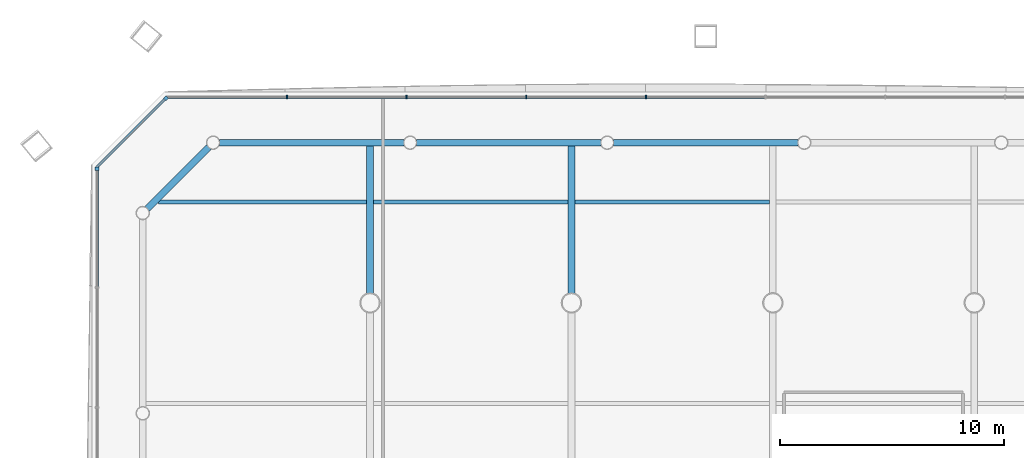
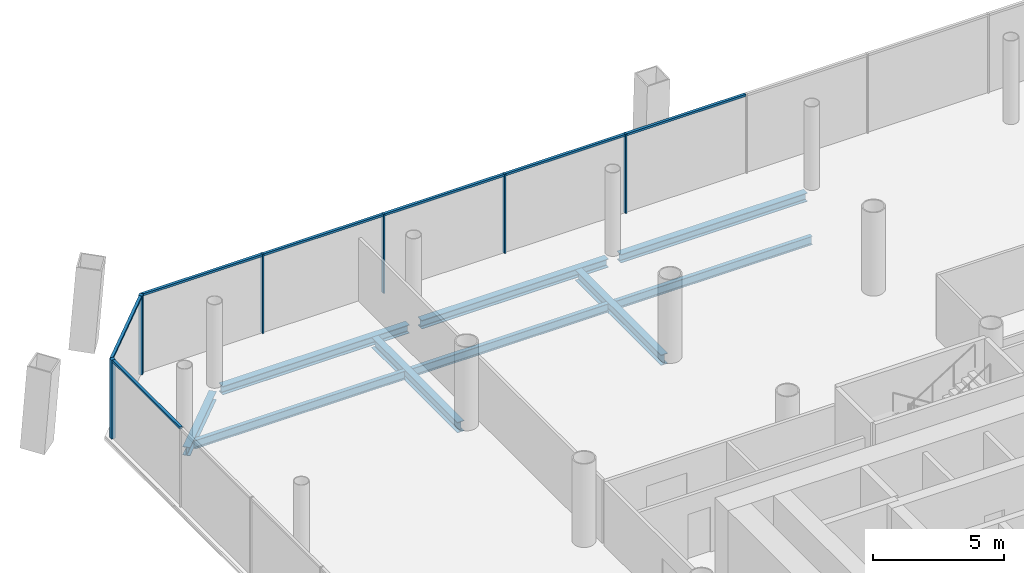
# One storey, part 10 of 22: 13 members, 9 beams, 3 elements without a shape of their own.
"""IFC4 building model written with IfcOpenShell, lengths in metres."""

from ifc_helpers import new_model, si_unit, direction, frame, origin, origin_2d, place, context, subcontext, project, spatial, rectangle, i_section, extrude, material, material_profile, profile_set, type_object, element, aggregate, save


model = new_model("IFC4")

# Units and contexts
model_context = context("Model", 3, precision=1e-05, world=origin(), true_north=direction((0.0, 1.0)))
body_context = subcontext(model_context, "Body", "Model", "MODEL_VIEW")
ifc_project = project(units=[si_unit("LENGTHUNIT", "METRE"), si_unit("AREAUNIT", "SQUARE_METRE"), si_unit("VOLUMEUNIT", "CUBIC_METRE"), si_unit("PLANEANGLEUNIT", "RADIAN"), si_unit("MASSUNIT", "GRAM", prefix="KILO")], contexts=[model_context])

# Site, building, storey
site_placement = place(None, origin())
site = spatial("IfcSite", under=ifc_project, at=site_placement, CompositionType="ELEMENT")
building_placement = place(site_placement, origin())
building = spatial("IfcBuilding", under=site, at=building_placement, Name="Tskaro Facet Tower", CompositionType="ELEMENT")
storey_placement = place(building_placement, frame((0.0, 0.0, 30.300048828125)))
storey = spatial("IfcBuildingStorey", under=building, at=storey_placement, Name="L06", CompositionType="ELEMENT", Elevation=30.300048828125)

# Curtain wall, member
ifc_material_1 = material(Name="Bronze anodised aluminium 6063-T6", Category="aluminium")
curtain_wall_type = type_object("IfcCurtainWallType", Name="Bronze office curtain wall (FW1)", PredefinedType="NOTDEFINED", material=ifc_material_1)
curtain_wall_1_placement = place(storey_placement, origin())
curtain_wall_1 = element("IfcCurtainWall", 1, at=curtain_wall_1_placement, inside=storey, type_object=curtain_wall_type, Name="FW1 north-west facet L06", PredefinedType="NOTDEFINED")
ifc_material_profile_1 = material_profile(ifc_material_1, rectangle(XDim=0.159912109375, YDim=0.159912109375, at=origin_2d()), Name="Corner post 160x160")
ifc_profile_set_1 = profile_set([ifc_material_profile_1], Name="Bronze anodised aluminium 6063-T6")
member_type_1 = type_object("IfcMemberType", Name="FW1 bronze corner post 160x160", PredefinedType="MULLION", material=ifc_profile_set_1)
member_1_placement = place(storey_placement, frame((-27.12255859375, 27.1455078125, 0.0), z_axis=(0.0, 0.0, 1.0), x_axis=(-0.707106781187, -0.707106781187, 0.0)))
member_1 = element("IfcMember", 2, at=member_1_placement, type_object=member_type_1, Name="FW1 north-west corner post", PredefinedType="MULLION", context=body_context, shape_type="SweptSolid", body=[
    extrude(rectangle(XDim=0.159912109375, YDim=0.159912109375, at=origin_2d()), origin(), (0.0, 0.0, 1.0), 3.699951171875),
])

curtain_wall_2_placement = place(storey_placement, origin())
curtain_wall_2 = element("IfcCurtainWall", 3, at=curtain_wall_2_placement, inside=storey, type_object=curtain_wall_type, Name="FW1 west facet L06", PredefinedType="NOTDEFINED")
member_2_placement = place(storey_placement, frame((-30.201904296875, 23.986083984375, 0.0), z_axis=(0.0, 0.0, 1.0), x_axis=(0.0, -1.0, 0.0)))
member_2 = element("IfcMember", 4, at=member_2_placement, type_object=member_type_1, Name="FW1 west corner post", PredefinedType="MULLION", context=body_context, shape_type="SweptSolid", body=[
    extrude(rectangle(XDim=0.159912109375, YDim=0.159912109375, at=origin_2d()), origin(), (0.0, 0.0, 1.0), 3.699951171875),
])

# Curtain wall, members
curtain_wall_3_placement = place(storey_placement, origin())
curtain_wall_3 = element("IfcCurtainWall", 5, at=curtain_wall_3_placement, inside=storey, type_object=curtain_wall_type, Name="FW1 north facet L06", PredefinedType="NOTDEFINED")
ifc_material_profile_2 = material_profile(ifc_material_1, rectangle(XDim=0.06005859375, YDim=0.159912109375, at=origin_2d()), Name="Mullion 60x160")
ifc_profile_set_2 = profile_set([ifc_material_profile_2], Name="Bronze anodised aluminium 6063-T6")
member_type_2 = type_object("IfcMemberType", Name="FW1 bronze mullion 60x160", PredefinedType="MULLION", material=ifc_profile_set_2)
member_3_placement = place(storey_placement, frame((-5.674072265625, 27.201904296875, 0.0), z_axis=(0.0, 0.0, 1.0), x_axis=(-1.0, 0.0, 0.0)))
member_3 = element("IfcMember", 6, at=member_3_placement, type_object=member_type_2, Name="FW1 north mullion 5", PredefinedType="MULLION", context=body_context, shape_type="SweptSolid", body=[
    extrude(rectangle(XDim=0.06005859375, YDim=0.159912109375, at=origin_2d()), origin(), (0.0, 0.0, 1.0), 3.699951171875),
])
member_4_placement = place(storey_placement, frame((-11.02197265625, 27.201904296875, 0.0), z_axis=(0.0, 0.0, 1.0), x_axis=(-1.0, 0.0, 0.0)))
member_4 = element("IfcMember", 7, at=member_4_placement, type_object=member_type_2, Name="FW1 north mullion 6", PredefinedType="MULLION", context=body_context, shape_type="SweptSolid", body=[
    extrude(rectangle(XDim=0.06005859375, YDim=0.159912109375, at=origin_2d()), origin(), (0.0, 0.0, 1.0), 3.699951171875),
])
member_5_placement = place(storey_placement, frame((-16.3701171875, 27.201904296875, 0.0), z_axis=(0.0, 0.0, 1.0), x_axis=(-1.0, 0.0, 0.0)))
member_5 = element("IfcMember", 8, at=member_5_placement, type_object=member_type_2, Name="FW1 north mullion 7", PredefinedType="MULLION", context=body_context, shape_type="SweptSolid", body=[
    extrude(rectangle(XDim=0.06005859375, YDim=0.159912109375, at=origin_2d()), origin(), (0.0, 0.0, 1.0), 3.699951171875),
])
member_6_placement = place(storey_placement, frame((-21.718017578125, 27.201904296875, 0.0), z_axis=(0.0, 0.0, 1.0), x_axis=(-1.0, 0.0, 0.0)))
member_6 = element("IfcMember", 9, at=member_6_placement, type_object=member_type_2, Name="FW1 north mullion 8", PredefinedType="MULLION", context=body_context, shape_type="SweptSolid", body=[
    extrude(rectangle(XDim=0.06005859375, YDim=0.159912109375, at=origin_2d()), origin(), (0.0, 0.0, 1.0), 3.699951171875),
])
ifc_material_profile_3 = material_profile(ifc_material_1, rectangle(XDim=0.1201171875, YDim=0.10009765625, at=origin_2d()), Name="Transom 120x100")
ifc_profile_set_3 = profile_set([ifc_material_profile_3], Name="Bronze anodised aluminium 6063-T6")
member_type_3 = type_object("IfcMemberType", Name="FW1 bronze transom 120x100", PredefinedType="USERDEFINED", material=ifc_profile_set_3)
member_7_placement = place(storey_placement, frame((-0.35595703125, 27.201904296875, 3.64990234375), z_axis=(-1.0, 0.0, 0.0), x_axis=(0.0, -1.0, 0.0)))
member_7 = element("IfcMember", 10, at=member_7_placement, type_object=member_type_3, Name="FW1 north transom 5.1", ObjectType="TRANSOM", PredefinedType="USERDEFINED", context=body_context, shape_type="SweptSolid", body=[
    extrude(rectangle(XDim=0.1201171875, YDim=0.10009765625, at=origin_2d()), origin(), (0.0, 0.0, 1.0), 5.2880859375),
])
member_8_placement = place(storey_placement, frame((-5.7041015625, 27.201904296875, 3.64990234375), z_axis=(-1.0, 0.0, 0.0), x_axis=(0.0, -1.0, 0.0)))
member_8 = element("IfcMember", 11, at=member_8_placement, type_object=member_type_3, Name="FW1 north transom 6.1", ObjectType="TRANSOM", PredefinedType="USERDEFINED", context=body_context, shape_type="SweptSolid", body=[
    extrude(rectangle(XDim=0.1201171875, YDim=0.10009765625, at=origin_2d()), origin(), (0.0, 0.0, 1.0), 5.287841796875),
])
member_9_placement = place(storey_placement, frame((-11.052001953125, 27.201904296875, 3.64990234375), z_axis=(-1.0, 0.0, 0.0), x_axis=(0.0, -1.0, 0.0)))
member_9 = element("IfcMember", 12, at=member_9_placement, type_object=member_type_3, Name="FW1 north transom 7.1", ObjectType="TRANSOM", PredefinedType="USERDEFINED", context=body_context, shape_type="SweptSolid", body=[
    extrude(rectangle(XDim=0.1201171875, YDim=0.10009765625, at=origin_2d()), origin(), (0.0, 0.0, 1.0), 5.2880859375),
])
member_10_placement = place(storey_placement, frame((-16.39990234375, 27.201904296875, 3.64990234375), z_axis=(-1.0, 0.0, 0.0), x_axis=(0.0, -1.0, 0.0)))
member_10 = element("IfcMember", 13, at=member_10_placement, type_object=member_type_3, Name="FW1 north transom 8.1", ObjectType="TRANSOM", PredefinedType="USERDEFINED", context=body_context, shape_type="SweptSolid", body=[
    extrude(rectangle(XDim=0.1201171875, YDim=0.10009765625, at=origin_2d()), origin(), (0.0, 0.0, 1.0), 5.2880859375),
])
member_11_placement = place(storey_placement, frame((-21.748046875, 27.201904296875, 3.64990234375), z_axis=(-1.0, 0.0, 0.0), x_axis=(0.0, -1.0, 0.0)))
member_11 = element("IfcMember", 14, at=member_11_placement, type_object=member_type_3, Name="FW1 north transom 9.1", ObjectType="TRANSOM", PredefinedType="USERDEFINED", context=body_context, shape_type="SweptSolid", body=[
    extrude(rectangle(XDim=0.1201171875, YDim=0.10009765625, at=origin_2d()), origin(), (0.0, 0.0, 1.0), 5.31787109375),
])
aggregate(curtain_wall_3, [member_3, member_4, member_5, member_6, member_7, member_8, member_9, member_10, member_11])

# Member
member_12_placement = place(storey_placement, frame((-27.17919921875, 27.0888671875, 3.64990234375), z_axis=(-0.707078225638, -0.707135335582, 0.0), x_axis=(0.707135335582, -0.707078225638, 0.0)))
member_12 = element("IfcMember", 15, at=member_12_placement, type_object=member_type_3, Name="FW1 north-west transom 1.1", ObjectType="TRANSOM", PredefinedType="USERDEFINED", context=body_context, shape_type="SweptSolid", body=[
    extrude(rectangle(XDim=0.1201171875, YDim=0.10009765625, at=origin_2d()), origin(), (0.0, 0.0, 1.0), 4.27490234375),
])

aggregate(curtain_wall_1, [member_1, member_12])

member_13_placement = place(storey_placement, frame((-30.201904296875, 23.906005859375, 3.64990234375), z_axis=(0.0, -1.0, 0.0), x_axis=(1.0, 0.0, 0.0)))
member_13 = element("IfcMember", 16, at=member_13_placement, type_object=member_type_3, Name="FW1 west transom 1.1", ObjectType="TRANSOM", PredefinedType="USERDEFINED", context=body_context, shape_type="SweptSolid", body=[
    extrude(rectangle(XDim=0.1201171875, YDim=0.10009765625, at=origin_2d()), origin(), (0.0, 0.0, 1.0), 5.1845703125),
])

aggregate(curtain_wall_2, [member_2, member_13])

# Beams
ifc_material_2 = material(Name="Steel S355J2", Category="steel")
ifc_material_profile_4 = material_profile(ifc_material_2, i_section(OverallWidth=0.300048828125, OverallDepth=0.39990234375, WebThickness=0.013427734375, FlangeThickness=0.02392578125, FilletRadius=0.027099609375, at=origin_2d()), Name="HE 400 B")
ifc_profile_set_4 = profile_set([ifc_material_profile_4], Name="Steel S355J2")
beam_type_1 = type_object("IfcBeamType", Name="HE 400 B ring beam", PredefinedType="BEAM", material=ifc_profile_set_4)
beam_1_placement = place(storey_placement, frame((1.126953125, 25.156982421875, -0.340087890625), z_axis=(-1.0, 0.0, 0.0), x_axis=(0.0, -1.0, 0.0)))
element("IfcBeam", 17, at=beam_1_placement, inside=storey, type_object=beam_type_1, Name="HE 400 B EB16-1", PredefinedType="BEAM", context=body_context, shape_type="SweptSolid", body=[
    extrude(i_section(OverallWidth=0.300048828125, OverallDepth=0.39990234375, WebThickness=0.013427734375, FlangeThickness=0.02392578125, FilletRadius=0.027099609375, at=origin_2d()), origin(), (0.0, 0.0, 1.0), 8.25390625),
])
beam_2_placement = place(storey_placement, frame((-7.677001953125, 25.156982421875, -0.340087890625), z_axis=(-1.0, 0.0, 0.0), x_axis=(0.0, -1.0, 0.0)))
element("IfcBeam", 18, at=beam_2_placement, inside=storey, type_object=beam_type_1, Name="HE 400 B EB17-1", PredefinedType="BEAM", context=body_context, shape_type="SweptSolid", body=[
    extrude(i_section(OverallWidth=0.300048828125, OverallDepth=0.39990234375, WebThickness=0.013427734375, FlangeThickness=0.02392578125, FilletRadius=0.027099609375, at=origin_2d()), origin(), (0.0, 0.0, 1.0), 8.2548828125),
])
beam_3_placement = place(storey_placement, frame((-16.48193359375, 25.156982421875, -0.340087890625), z_axis=(-1.0, 0.0, 0.0), x_axis=(0.0, -1.0, 0.0)))
element("IfcBeam", 19, at=beam_3_placement, inside=storey, type_object=beam_type_1, Name="HE 400 B EB18-1", PredefinedType="BEAM", context=body_context, shape_type="SweptSolid", body=[
    extrude(i_section(OverallWidth=0.300048828125, OverallDepth=0.39990234375, WebThickness=0.013427734375, FlangeThickness=0.02392578125, FilletRadius=0.027099609375, at=origin_2d()), origin(), (0.0, 0.0, 1.0), 8.255126953125),
])
beam_4_placement = place(storey_placement, frame((-25.20654296875, 24.962646484375, -0.340087890625), z_axis=(-0.707106781187, -0.707106781187, 0.0), x_axis=(0.707106781187, -0.707106781187, 0.0)))
element("IfcBeam", 20, at=beam_4_placement, inside=storey, type_object=beam_type_1, Name="HE 400 B EB19-1", PredefinedType="BEAM", context=body_context, shape_type="SweptSolid", body=[
    extrude(i_section(OverallWidth=0.300048828125, OverallDepth=0.39990234375, WebThickness=0.013427734375, FlangeThickness=0.02392578125, FilletRadius=0.027099609375, at=origin_2d()), origin(), (0.0, 0.0, 1.0), 3.897705078125),
])
ifc_material_profile_5 = material_profile(ifc_material_2, i_section(OverallWidth=0.300048828125, OverallDepth=0.489990234375, WebThickness=0.011962890625, FlangeThickness=0.02294921875, FilletRadius=0.027099609375, at=origin_2d()), Name="HE 500 A")
ifc_profile_set_5 = profile_set([ifc_material_profile_5], Name="Steel S355J2")
beam_type_2 = type_object("IfcBeamType", Name="HE 500 A girder", PredefinedType="BEAM", material=ifc_profile_set_5)
for number, where, z_axis, x_axis, name in (
    (21, (-18.0, 18.42724609375, -0.385009765625), (0.0, 1.0, 0.0), (-1.0, 0.0, 0.0), "HE 500 A GB2-6-1"),
    (22, (-9.0, 18.42724609375, -0.385009765625), (0.0, 1.0, 0.0), (-1.0, 0.0, 0.0), "HE 500 A GB3-5-1"),
):
    element("IfcBeam", number, at=place(storey_placement, frame(where, z_axis=z_axis, x_axis=x_axis)), inside=storey, type_object=beam_type_2, Name=name, PredefinedType="BEAM", context=body_context, shape_type="SweptSolid", body=[
        extrude(i_section(OverallWidth=0.300048828125, OverallDepth=0.489990234375, WebThickness=0.011962890625, FlangeThickness=0.02294921875, FilletRadius=0.027099609375, at=origin_2d()), origin(), (0.0, 0.0, 1.0), 6.579833984375),
    ])
ifc_material_profile_6 = material_profile(ifc_material_2, i_section(OverallWidth=0.179931640625, OverallDepth=0.39990234375, WebThickness=0.008544921875, FlangeThickness=0.013427734375, FilletRadius=0.02099609375, at=origin_2d()), Name="IPE 400")
ifc_profile_set_6 = profile_set([ifc_material_profile_6], Name="Steel S355J2")
beam_type_3 = type_object("IfcBeamType", Name="IPE 400 secondary beam", PredefinedType="BEAM", material=ifc_profile_set_6)
beam_5_placement = place(storey_placement, frame((-27.45703125, 22.5, -0.340087890625), z_axis=(1.0, 0.0, 0.0), x_axis=(0.0, 1.0, 0.0)))
element("IfcBeam", 23, at=beam_5_placement, inside=storey, type_object=beam_type_3, Name="IPE 400 SB6a-1-1", PredefinedType="BEAM", context=body_context, shape_type="SweptSolid", body=[
    extrude(i_section(OverallWidth=0.179931640625, OverallDepth=0.39990234375, WebThickness=0.008544921875, FlangeThickness=0.013427734375, FilletRadius=0.02099609375, at=origin_2d()), origin(), (0.0, 0.0, 1.0), 9.30712890625),
])
for number, where, z_axis, x_axis, name in (
    (24, (-17.85009765625, 22.5, -0.340087890625), (1.0, 0.0, 0.0), (0.0, 1.0, 0.0), "IPE 400 SB6a-2-1"),
    (25, (-8.85009765625, 22.5, -0.340087890625), (1.0, 0.0, 0.0), (0.0, 1.0, 0.0), "IPE 400 SB6a-3-1"),
):
    element("IfcBeam", number, at=place(storey_placement, frame(where, z_axis=z_axis, x_axis=x_axis)), inside=storey, type_object=beam_type_3, Name=name, PredefinedType="BEAM", context=body_context, shape_type="SweptSolid", body=[
        extrude(i_section(OverallWidth=0.179931640625, OverallDepth=0.39990234375, WebThickness=0.008544921875, FlangeThickness=0.013427734375, FilletRadius=0.02099609375, at=origin_2d()), origin(), (0.0, 0.0, 1.0), 8.7001953125),
    ])

save(model, "model.ifc")
